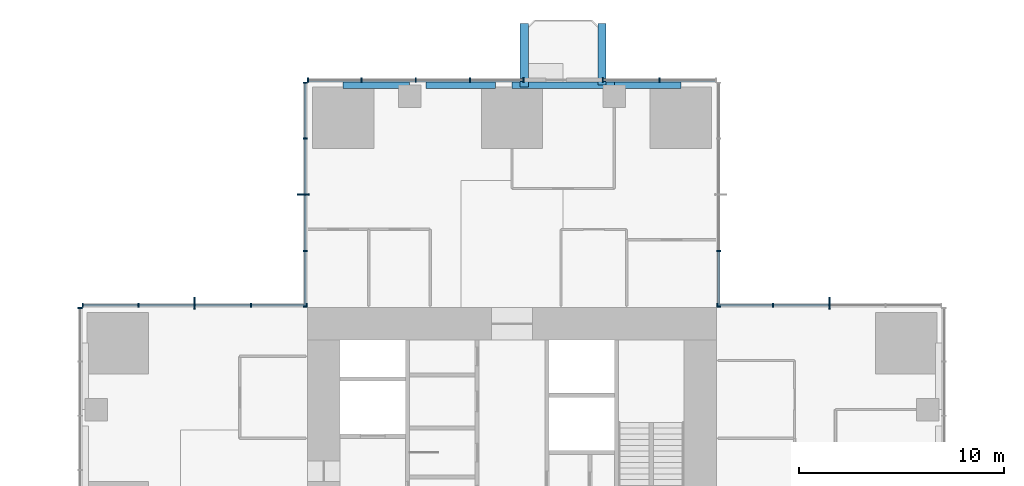
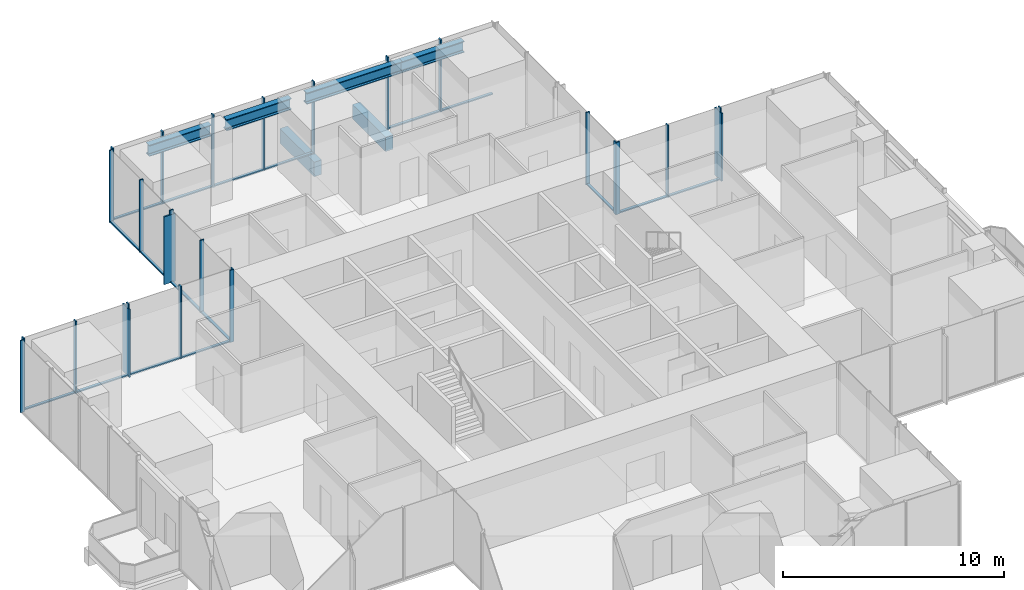
# One storey, part 5 of 13: 43 members, 6 beams, 7 elements without a shape of their own.
"""IFC4 building model written with IfcOpenShell, lengths in metres."""

from ifc_helpers import new_model, si_unit, direction, frame, origin, origin_2d, place, context, subcontext, project, spatial, rectangle, i_section, extrude, material, material_profile, profile_set, type_object, element, aggregate, save


model = new_model("IFC4")

# Units and contexts
model_context = context("Model", 3, precision=1e-05, world=origin(), true_north=direction((0.0, 1.0)))
body_context = subcontext(model_context, "Body", "Model", "MODEL_VIEW")
ifc_project = project(units=[si_unit("LENGTHUNIT", "METRE"), si_unit("AREAUNIT", "SQUARE_METRE"), si_unit("VOLUMEUNIT", "CUBIC_METRE"), si_unit("PLANEANGLEUNIT", "RADIAN"), si_unit("MASSUNIT", "GRAM", prefix="KILO")], contexts=[model_context])

# Site, building, storey
site_placement = place(None, origin())
site = spatial("IfcSite", under=ifc_project, at=site_placement, CompositionType="ELEMENT")
building_placement = place(site_placement, origin())
building = spatial("IfcBuilding", under=site, at=building_placement, Name="Svetlomir Tower", CompositionType="ELEMENT")
storey_placement = place(building_placement, frame((0.0, 0.0, 152.5)))
storey = spatial("IfcBuildingStorey", under=building, at=storey_placement, Name="L36", CompositionType="ELEMENT", Elevation=152.5)

# Beams
ifc_material_1 = material(Name="Concrete C60/75", Category="concrete")
ifc_material_profile_1 = material_profile(ifc_material_1, rectangle(XDim=0.39990234375, YDim=0.800048828125, at=origin_2d()), Name="RC 400x800")
ifc_profile_set_1 = profile_set([ifc_material_profile_1], Name="Concrete C60/75")
beam_type_1 = type_object("IfcBeamType", Name="BALCONY RIB RC 400x800", PredefinedType="BEAM", material=ifc_profile_set_1)
beam_1_placement = place(storey_placement, frame((21.60009765625, 41.75, -0.64990234375), z_axis=(0.0, 1.0, 0.0), x_axis=(-1.0, 0.0, 0.0)))
element("IfcBeam", 1, at=beam_1_placement, inside=storey, type_object=beam_type_1, Name="Balcony rib N 1 L36", PredefinedType="BEAM", context=body_context, shape_type="SweptSolid", body=[
    extrude(rectangle(XDim=0.39990234375, YDim=0.800048828125, at=origin_2d()), origin(), (0.0, 0.0, 1.0), 3.10009765625),
])
beam_2_placement = place(storey_placement, frame((25.39990234375, 41.85009765625, -0.64990234375), z_axis=(0.0, 1.0, 0.0), x_axis=(-1.0, 0.0, 0.0)))
element("IfcBeam", 2, at=beam_2_placement, inside=storey, type_object=beam_type_1, Name="Balcony rib N 2 L36", PredefinedType="BEAM", context=body_context, shape_type="SweptSolid", body=[
    extrude(rectangle(XDim=0.39990234375, YDim=0.800048828125, at=origin_2d()), origin(), (0.0, 0.0, 1.0), 3.0),
])

# Curtain wall, member
ifc_material_2 = material(Name="Bronze anodised aluminium curtain wall", Category="aluminium")
curtain_wall_type = type_object("IfcCurtainWallType", Name="CURTAIN WALL CW1 TOWER OFFICE", PredefinedType="NOTDEFINED", material=ifc_material_2)
curtain_wall_1_placement = place(storey_placement, origin())
curtain_wall_1 = element("IfcCurtainWall", 3, at=curtain_wall_1_placement, inside=storey, type_object=curtain_wall_type, Name="Curtain wall CW1 L36", PredefinedType="NOTDEFINED")
ifc_material_3 = material(Name="Bronze anodised aluminium", Category="aluminium")
ifc_material_profile_2 = material_profile(ifc_material_3, rectangle(XDim=0.080078125, YDim=0.60009765625, at=origin_2d()), Name="FIN 80x600")
ifc_profile_set_2 = profile_set([ifc_material_profile_2], Name="Bronze anodised aluminium 6063-T6")
member_type_1 = type_object("IfcMemberType", Name="BRONZE FIN 80x600", PredefinedType="USERDEFINED", material=ifc_profile_set_2)
member_1_placement = place(storey_placement, frame((36.5, 31.199951171875, 0.0), z_axis=(0.0, 0.0, 1.0), x_axis=(1.0, 0.0, 0.0)))
member_1 = element("IfcMember", 4, at=member_1_placement, type_object=member_type_1, Name="Bronze fin L36", ObjectType="FIN", PredefinedType="USERDEFINED", context=body_context, shape_type="SweptSolid", body=[
    extrude(rectangle(XDim=0.080078125, YDim=0.60009765625, at=origin_2d()), origin(), (0.0, 0.0, 1.0), 3.75),
])

curtain_wall_2_placement = place(storey_placement, origin())
curtain_wall_2 = element("IfcCurtainWall", 5, at=curtain_wall_2_placement, inside=storey, type_object=curtain_wall_type, Name="Curtain wall CW1 L36", PredefinedType="NOTDEFINED")
member_2_placement = place(storey_placement, frame((10.800048828125, 36.5, 0.0), z_axis=(0.0, 0.0, 1.0), x_axis=(0.0, 1.0, 0.0)))
member_2 = element("IfcMember", 6, at=member_2_placement, type_object=member_type_1, Name="Bronze fin L36", ObjectType="FIN", PredefinedType="USERDEFINED", context=body_context, shape_type="SweptSolid", body=[
    extrude(rectangle(XDim=0.080078125, YDim=0.60009765625, at=origin_2d()), origin(), (0.0, 0.0, 1.0), 3.75),
])

curtain_wall_3_placement = place(storey_placement, origin())
curtain_wall_3 = element("IfcCurtainWall", 7, at=curtain_wall_3_placement, inside=storey, type_object=curtain_wall_type, Name="Curtain wall CW1 L36", PredefinedType="NOTDEFINED")
member_3_placement = place(storey_placement, frame((5.5, 31.199951171875, 0.0), z_axis=(0.0, 0.0, 1.0), x_axis=(1.0, 0.0, 0.0)))
member_3 = element("IfcMember", 8, at=member_3_placement, type_object=member_type_1, Name="Bronze fin L36", ObjectType="FIN", PredefinedType="USERDEFINED", context=body_context, shape_type="SweptSolid", body=[
    extrude(rectangle(XDim=0.080078125, YDim=0.60009765625, at=origin_2d()), origin(), (0.0, 0.0, 1.0), 3.75),
])

# Member
ifc_material_4 = material(Name="Bronze anodised aluminium", Category="aluminium")
ifc_material_profile_3 = material_profile(ifc_material_4, rectangle(XDim=0.06494140625, YDim=0.199951171875, at=origin_2d()), Name="AL 65x200")
ifc_profile_set_3 = profile_set([ifc_material_profile_3], Name="Bronze anodised aluminium 6063-T6")
member_type_2 = type_object("IfcMemberType", Name="CW1 MULLION 65x200", PredefinedType="MULLION", material=ifc_profile_set_3)
member_4_placement = place(storey_placement, frame((36.5, 31.10009765625, 0.0), z_axis=(0.0, 0.0, 1.0), x_axis=(-1.0, 0.0, 0.0)))
member_4 = element("IfcMember", 9, at=member_4_placement, type_object=member_type_2, Name="CW1 mullion 3", PredefinedType="MULLION", context=body_context, shape_type="SweptSolid", body=[
    extrude(rectangle(XDim=0.06494140625, YDim=0.199951171875, at=origin_2d()), origin(), (0.0, 0.0, 1.0), 4.0),
])

member_5_placement = place(storey_placement, frame((33.75, 31.10009765625, 0.0), z_axis=(0.0, 0.0, 1.0), x_axis=(-1.0, 0.0, 0.0)))
member_5 = element("IfcMember", 10, at=member_5_placement, type_object=member_type_2, Name="CW1 mullion 4", PredefinedType="MULLION", context=body_context, shape_type="SweptSolid", body=[
    extrude(rectangle(XDim=0.06494140625, YDim=0.199951171875, at=origin_2d()), origin(), (0.0, 0.0, 1.0), 4.0),
])

member_6_placement = place(storey_placement, frame((31.032470703125, 31.10009765625, 0.0), z_axis=(0.0, 0.0, 1.0), x_axis=(-1.0, 0.0, 0.0)))
member_6 = element("IfcMember", 11, at=member_6_placement, type_object=member_type_2, Name="CW1 mullion 5", PredefinedType="MULLION", context=body_context, shape_type="SweptSolid", body=[
    extrude(rectangle(XDim=0.06494140625, YDim=0.199951171875, at=origin_2d()), origin(), (0.0, 0.0, 1.0), 4.0),
])

# Curtain wall, members
curtain_wall_4_placement = place(storey_placement, origin())
curtain_wall_4 = element("IfcCurtainWall", 12, at=curtain_wall_4_placement, inside=storey, type_object=curtain_wall_type, Name="Curtain wall CW1 L36", PredefinedType="NOTDEFINED")
member_7_placement = place(storey_placement, frame((31.10009765625, 31.032470703125, 0.0), z_axis=(0.0, 0.0, 1.0), x_axis=(0.0, 1.0, 0.0)))
member_7 = element("IfcMember", 13, at=member_7_placement, type_object=member_type_2, Name="CW1 mullion 1", PredefinedType="MULLION", context=body_context, shape_type="SweptSolid", body=[
    extrude(rectangle(XDim=0.06494140625, YDim=0.199951171875, at=origin_2d()), origin(), (0.0, 0.0, 1.0), 4.0),
])
member_8_placement = place(storey_placement, frame((31.10009765625, 33.75, 0.0), z_axis=(0.0, 0.0, 1.0), x_axis=(0.0, 1.0, 0.0)))
member_8 = element("IfcMember", 14, at=member_8_placement, type_object=member_type_2, Name="CW1 mullion 2", PredefinedType="MULLION", context=body_context, shape_type="SweptSolid", body=[
    extrude(rectangle(XDim=0.06494140625, YDim=0.199951171875, at=origin_2d()), origin(), (0.0, 0.0, 1.0), 4.0),
])

curtain_wall_5_placement = place(storey_placement, origin())
curtain_wall_5 = element("IfcCurtainWall", 15, at=curtain_wall_5_placement, inside=storey, type_object=curtain_wall_type, Name="Curtain wall CW1 L36", PredefinedType="NOTDEFINED")
member_9_placement = place(storey_placement, frame((28.199951171875, 42.10009765625, 0.0), z_axis=(0.0, 0.0, 1.0), x_axis=(-1.0, 0.0, 0.0)))
member_9 = element("IfcMember", 16, at=member_9_placement, type_object=member_type_2, Name="CW1 mullion 2", PredefinedType="MULLION", context=body_context, shape_type="SweptSolid", body=[
    extrude(rectangle(XDim=0.06494140625, YDim=0.199951171875, at=origin_2d()), origin(), (0.0, 0.0, 1.0), 4.0),
])
member_10_placement = place(storey_placement, frame((25.4326171875, 42.10009765625, 0.0), z_axis=(0.0, 0.0, 1.0), x_axis=(-1.0, 0.0, 0.0)))
member_10 = element("IfcMember", 17, at=member_10_placement, type_object=member_type_2, Name="CW1 mullion 3", PredefinedType="MULLION", context=body_context, shape_type="SweptSolid", body=[
    extrude(rectangle(XDim=0.06494140625, YDim=0.199951171875, at=origin_2d()), origin(), (0.0, 0.0, 1.0), 4.0),
])

curtain_wall_6_placement = place(storey_placement, origin())
curtain_wall_6 = element("IfcCurtainWall", 18, at=curtain_wall_6_placement, inside=storey, type_object=curtain_wall_type, Name="Curtain wall CW1 L36", PredefinedType="NOTDEFINED")
member_11_placement = place(storey_placement, frame((21.5673828125, 42.10009765625, 0.0), z_axis=(0.0, 0.0, 1.0), x_axis=(-1.0, 0.0, 0.0)))
member_11 = element("IfcMember", 19, at=member_11_placement, type_object=member_type_2, Name="CW1 mullion 1", PredefinedType="MULLION", context=body_context, shape_type="SweptSolid", body=[
    extrude(rectangle(XDim=0.06494140625, YDim=0.199951171875, at=origin_2d()), origin(), (0.0, 0.0, 1.0), 4.0),
])
member_12_placement = place(storey_placement, frame((18.949951171875, 42.10009765625, 0.0), z_axis=(0.0, 0.0, 1.0), x_axis=(-1.0, 0.0, 0.0)))
member_12 = element("IfcMember", 20, at=member_12_placement, type_object=member_type_2, Name="CW1 mullion 2", PredefinedType="MULLION", context=body_context, shape_type="SweptSolid", body=[
    extrude(rectangle(XDim=0.06494140625, YDim=0.199951171875, at=origin_2d()), origin(), (0.0, 0.0, 1.0), 4.0),
])
member_13_placement = place(storey_placement, frame((16.300048828125, 42.10009765625, 0.0), z_axis=(0.0, 0.0, 1.0), x_axis=(-1.0, 0.0, 0.0)))
member_13 = element("IfcMember", 21, at=member_13_placement, type_object=member_type_2, Name="CW1 mullion 3", PredefinedType="MULLION", context=body_context, shape_type="SweptSolid", body=[
    extrude(rectangle(XDim=0.06494140625, YDim=0.199951171875, at=origin_2d()), origin(), (0.0, 0.0, 1.0), 4.0),
])
member_14_placement = place(storey_placement, frame((13.64990234375, 42.10009765625, 0.0), z_axis=(0.0, 0.0, 1.0), x_axis=(-1.0, 0.0, 0.0)))
member_14 = element("IfcMember", 22, at=member_14_placement, type_object=member_type_2, Name="CW1 mullion 4", PredefinedType="MULLION", context=body_context, shape_type="SweptSolid", body=[
    extrude(rectangle(XDim=0.06494140625, YDim=0.199951171875, at=origin_2d()), origin(), (0.0, 0.0, 1.0), 4.0),
])
member_15_placement = place(storey_placement, frame((11.032470703125, 42.10009765625, 0.0), z_axis=(0.0, 0.0, 1.0), x_axis=(-1.0, 0.0, 0.0)))
member_15 = element("IfcMember", 23, at=member_15_placement, type_object=member_type_2, Name="CW1 mullion 5", PredefinedType="MULLION", context=body_context, shape_type="SweptSolid", body=[
    extrude(rectangle(XDim=0.06494140625, YDim=0.199951171875, at=origin_2d()), origin(), (0.0, 0.0, 1.0), 4.0),
])

# Member
member_16_placement = place(storey_placement, frame((10.89990234375, 41.967529296875, 0.0), z_axis=(0.0, 0.0, 1.0), x_axis=(0.0, -1.0, 0.0)))
member_16 = element("IfcMember", 24, at=member_16_placement, type_object=member_type_2, Name="CW1 mullion 1", PredefinedType="MULLION", context=body_context, shape_type="SweptSolid", body=[
    extrude(rectangle(XDim=0.06494140625, YDim=0.199951171875, at=origin_2d()), origin(), (0.0, 0.0, 1.0), 4.0),
])

member_17_placement = place(storey_placement, frame((10.89990234375, 39.25, 0.0), z_axis=(0.0, 0.0, 1.0), x_axis=(0.0, -1.0, 0.0)))
member_17 = element("IfcMember", 25, at=member_17_placement, type_object=member_type_2, Name="CW1 mullion 2", PredefinedType="MULLION", context=body_context, shape_type="SweptSolid", body=[
    extrude(rectangle(XDim=0.06494140625, YDim=0.199951171875, at=origin_2d()), origin(), (0.0, 0.0, 1.0), 4.0),
])

member_18_placement = place(storey_placement, frame((10.89990234375, 36.5, 0.0), z_axis=(0.0, 0.0, 1.0), x_axis=(0.0, -1.0, 0.0)))
member_18 = element("IfcMember", 26, at=member_18_placement, type_object=member_type_2, Name="CW1 mullion 3", PredefinedType="MULLION", context=body_context, shape_type="SweptSolid", body=[
    extrude(rectangle(XDim=0.06494140625, YDim=0.199951171875, at=origin_2d()), origin(), (0.0, 0.0, 1.0), 4.0),
])

member_19_placement = place(storey_placement, frame((10.89990234375, 33.75, 0.0), z_axis=(0.0, 0.0, 1.0), x_axis=(0.0, -1.0, 0.0)))
member_19 = element("IfcMember", 27, at=member_19_placement, type_object=member_type_2, Name="CW1 mullion 4", PredefinedType="MULLION", context=body_context, shape_type="SweptSolid", body=[
    extrude(rectangle(XDim=0.06494140625, YDim=0.199951171875, at=origin_2d()), origin(), (0.0, 0.0, 1.0), 4.0),
])

member_20_placement = place(storey_placement, frame((10.89990234375, 31.032470703125, 0.0), z_axis=(0.0, 0.0, 1.0), x_axis=(0.0, -1.0, 0.0)))
member_20 = element("IfcMember", 28, at=member_20_placement, type_object=member_type_2, Name="CW1 mullion 5", PredefinedType="MULLION", context=body_context, shape_type="SweptSolid", body=[
    extrude(rectangle(XDim=0.06494140625, YDim=0.199951171875, at=origin_2d()), origin(), (0.0, 0.0, 1.0), 4.0),
])

member_21_placement = place(storey_placement, frame((10.967529296875, 31.10009765625, 0.0), z_axis=(0.0, 0.0, 1.0), x_axis=(-1.0, 0.0, 0.0)))
member_21 = element("IfcMember", 29, at=member_21_placement, type_object=member_type_2, Name="CW1 mullion 1", PredefinedType="MULLION", context=body_context, shape_type="SweptSolid", body=[
    extrude(rectangle(XDim=0.06494140625, YDim=0.199951171875, at=origin_2d()), origin(), (0.0, 0.0, 1.0), 4.0),
])

member_22_placement = place(storey_placement, frame((8.25, 31.10009765625, 0.0), z_axis=(0.0, 0.0, 1.0), x_axis=(-1.0, 0.0, 0.0)))
member_22 = element("IfcMember", 30, at=member_22_placement, type_object=member_type_2, Name="CW1 mullion 2", PredefinedType="MULLION", context=body_context, shape_type="SweptSolid", body=[
    extrude(rectangle(XDim=0.06494140625, YDim=0.199951171875, at=origin_2d()), origin(), (0.0, 0.0, 1.0), 4.0),
])

member_23_placement = place(storey_placement, frame((5.5, 31.10009765625, 0.0), z_axis=(0.0, 0.0, 1.0), x_axis=(-1.0, 0.0, 0.0)))
member_23 = element("IfcMember", 31, at=member_23_placement, type_object=member_type_2, Name="CW1 mullion 3", PredefinedType="MULLION", context=body_context, shape_type="SweptSolid", body=[
    extrude(rectangle(XDim=0.06494140625, YDim=0.199951171875, at=origin_2d()), origin(), (0.0, 0.0, 1.0), 4.0),
])

member_24_placement = place(storey_placement, frame((2.75, 31.10009765625, 0.0), z_axis=(0.0, 0.0, 1.0), x_axis=(-1.0, 0.0, 0.0)))
member_24 = element("IfcMember", 32, at=member_24_placement, type_object=member_type_2, Name="CW1 mullion 4", PredefinedType="MULLION", context=body_context, shape_type="SweptSolid", body=[
    extrude(rectangle(XDim=0.06494140625, YDim=0.199951171875, at=origin_2d()), origin(), (0.0, 0.0, 1.0), 4.0),
])

member_25_placement = place(storey_placement, frame((0.032470703125, 31.10009765625, 0.0), z_axis=(0.0, 0.0, 1.0), x_axis=(-1.0, 0.0, 0.0)))
member_25 = element("IfcMember", 33, at=member_25_placement, type_object=member_type_2, Name="CW1 mullion 5", PredefinedType="MULLION", context=body_context, shape_type="SweptSolid", body=[
    extrude(rectangle(XDim=0.06494140625, YDim=0.199951171875, at=origin_2d()), origin(), (0.0, 0.0, 1.0), 4.0),
])

# Curtain wall, member
curtain_wall_7_placement = place(storey_placement, origin())
curtain_wall_7 = element("IfcCurtainWall", 34, at=curtain_wall_7_placement, inside=storey, type_object=curtain_wall_type, Name="Curtain wall CW1 L36", PredefinedType="NOTDEFINED")
member_26_placement = place(storey_placement, frame((-0.10009765625, 30.967529296875, 0.0), z_axis=(0.0, 0.0, 1.0), x_axis=(0.0, -1.0, 0.0)))
member_26 = element("IfcMember", 35, at=member_26_placement, type_object=member_type_2, Name="CW1 mullion 1", PredefinedType="MULLION", context=body_context, shape_type="SweptSolid", body=[
    extrude(rectangle(XDim=0.06494140625, YDim=0.199951171875, at=origin_2d()), origin(), (0.0, 0.0, 1.0), 4.0),
])
aggregate(curtain_wall_7, [member_26])

# Member
ifc_material_5 = material(Name="Bronze anodised aluminium", Category="aluminium")
ifc_material_profile_4 = material_profile(ifc_material_5, rectangle(XDim=0.139892578125, YDim=0.06494140625, at=origin_2d()), Name="AL 140x65")
ifc_profile_set_4 = profile_set([ifc_material_profile_4], Name="Bronze anodised aluminium 6063-T6")
member_type_3 = type_object("IfcMemberType", Name="CW1 TRANSOM 65x140", PredefinedType="USERDEFINED", material=ifc_profile_set_4)
member_27_placement = place(storey_placement, frame((36.467529296875, 31.10009765625, 0.032470703125), z_axis=(-1.0, 0.0, 0.0), x_axis=(0.0, -1.0, 0.0)))
member_27 = element("IfcMember", 36, at=member_27_placement, type_object=member_type_3, Name="CW1 transom 3.1", ObjectType="TRANSOM", PredefinedType="USERDEFINED", context=body_context, shape_type="SweptSolid", body=[
    extrude(rectangle(XDim=0.139892578125, YDim=0.06494140625, at=origin_2d()), origin(), (0.0, 0.0, 1.0), 2.68505859375),
])

member_28_placement = place(storey_placement, frame((33.717529296875, 31.10009765625, 0.032470703125), z_axis=(-1.0, 0.0, 0.0), x_axis=(0.0, -1.0, 0.0)))
member_28 = element("IfcMember", 37, at=member_28_placement, type_object=member_type_3, Name="CW1 transom 4.1", ObjectType="TRANSOM", PredefinedType="USERDEFINED", context=body_context, shape_type="SweptSolid", body=[
    extrude(rectangle(XDim=0.139892578125, YDim=0.06494140625, at=origin_2d()), origin(), (0.0, 0.0, 1.0), 2.652587890625),
])

aggregate(curtain_wall_1, [member_4, member_5, member_6, member_27, member_28, member_1])

member_29_placement = place(storey_placement, frame((31.10009765625, 31.06494140625, 0.032470703125), z_axis=(0.0, 1.0, 0.0), x_axis=(-1.0, 0.0, 0.0)))
member_29 = element("IfcMember", 38, at=member_29_placement, type_object=member_type_3, Name="CW1 transom 1.1", ObjectType="TRANSOM", PredefinedType="USERDEFINED", context=body_context, shape_type="SweptSolid", body=[
    extrude(rectangle(XDim=0.139892578125, YDim=0.06494140625, at=origin_2d()), origin(), (0.0, 0.0, 1.0), 2.652587890625),
])

aggregate(curtain_wall_4, [member_7, member_8, member_29])

member_30_placement = place(storey_placement, frame((30.93505859375, 42.10009765625, 0.032470703125), z_axis=(-1.0, 0.0, 0.0), x_axis=(0.0, -1.0, 0.0)))
member_30 = element("IfcMember", 39, at=member_30_placement, type_object=member_type_3, Name="CW1 transom 1.1", ObjectType="TRANSOM", PredefinedType="USERDEFINED", context=body_context, shape_type="SweptSolid", body=[
    extrude(rectangle(XDim=0.139892578125, YDim=0.06494140625, at=origin_2d()), origin(), (0.0, 0.0, 1.0), 2.70263671875),
])

member_31_placement = place(storey_placement, frame((28.16748046875, 42.10009765625, 0.032470703125), z_axis=(-1.0, 0.0, 0.0), x_axis=(0.0, -1.0, 0.0)))
member_31 = element("IfcMember", 40, at=member_31_placement, type_object=member_type_3, Name="CW1 transom 2.1", ObjectType="TRANSOM", PredefinedType="USERDEFINED", context=body_context, shape_type="SweptSolid", body=[
    extrude(rectangle(XDim=0.139892578125, YDim=0.06494140625, at=origin_2d()), origin(), (0.0, 0.0, 1.0), 2.702392578125),
])

aggregate(curtain_wall_5, [member_9, member_10, member_30, member_31])

member_32_placement = place(storey_placement, frame((21.534912109375, 42.10009765625, 0.032470703125), z_axis=(-1.0, 0.0, 0.0), x_axis=(0.0, -1.0, 0.0)))
member_32 = element("IfcMember", 41, at=member_32_placement, type_object=member_type_3, Name="CW1 transom 1.1", ObjectType="TRANSOM", PredefinedType="USERDEFINED", context=body_context, shape_type="SweptSolid", body=[
    extrude(rectangle(XDim=0.139892578125, YDim=0.06494140625, at=origin_2d()), origin(), (0.0, 0.0, 1.0), 2.552490234375),
])

member_33_placement = place(storey_placement, frame((18.91748046875, 42.10009765625, 0.032470703125), z_axis=(-1.0, 0.0, 0.0), x_axis=(0.0, -1.0, 0.0)))
member_33 = element("IfcMember", 42, at=member_33_placement, type_object=member_type_3, Name="CW1 transom 2.1", ObjectType="TRANSOM", PredefinedType="USERDEFINED", context=body_context, shape_type="SweptSolid", body=[
    extrude(rectangle(XDim=0.139892578125, YDim=0.06494140625, at=origin_2d()), origin(), (0.0, 0.0, 1.0), 2.5849609375),
])

member_34_placement = place(storey_placement, frame((16.267578125, 42.10009765625, 0.032470703125), z_axis=(-1.0, 0.0, 0.0), x_axis=(0.0, -1.0, 0.0)))
member_34 = element("IfcMember", 43, at=member_34_placement, type_object=member_type_3, Name="CW1 transom 3.1", ObjectType="TRANSOM", PredefinedType="USERDEFINED", context=body_context, shape_type="SweptSolid", body=[
    extrude(rectangle(XDim=0.139892578125, YDim=0.06494140625, at=origin_2d()), origin(), (0.0, 0.0, 1.0), 2.5849609375),
])

member_35_placement = place(storey_placement, frame((13.617431640625, 42.10009765625, 0.032470703125), z_axis=(-1.0, 0.0, 0.0), x_axis=(0.0, -1.0, 0.0)))
member_35 = element("IfcMember", 44, at=member_35_placement, type_object=member_type_3, Name="CW1 transom 4.1", ObjectType="TRANSOM", PredefinedType="USERDEFINED", context=body_context, shape_type="SweptSolid", body=[
    extrude(rectangle(XDim=0.139892578125, YDim=0.06494140625, at=origin_2d()), origin(), (0.0, 0.0, 1.0), 2.552490234375),
])

aggregate(curtain_wall_6, [member_11, member_12, member_13, member_14, member_15, member_32, member_33, member_34, member_35])

member_36_placement = place(storey_placement, frame((10.89990234375, 41.93505859375, 0.032470703125), z_axis=(0.0, -1.0, 0.0), x_axis=(1.0, 0.0, 0.0)))
member_36 = element("IfcMember", 45, at=member_36_placement, type_object=member_type_3, Name="CW1 transom 1.1", ObjectType="TRANSOM", PredefinedType="USERDEFINED", context=body_context, shape_type="SweptSolid", body=[
    extrude(rectangle(XDim=0.139892578125, YDim=0.06494140625, at=origin_2d()), origin(), (0.0, 0.0, 1.0), 2.652587890625),
])

member_37_placement = place(storey_placement, frame((10.89990234375, 39.217529296875, 0.032470703125), z_axis=(0.0, -1.0, 0.0), x_axis=(1.0, 0.0, 0.0)))
member_37 = element("IfcMember", 46, at=member_37_placement, type_object=member_type_3, Name="CW1 transom 2.1", ObjectType="TRANSOM", PredefinedType="USERDEFINED", context=body_context, shape_type="SweptSolid", body=[
    extrude(rectangle(XDim=0.139892578125, YDim=0.06494140625, at=origin_2d()), origin(), (0.0, 0.0, 1.0), 2.68505859375),
])

member_38_placement = place(storey_placement, frame((10.89990234375, 36.467529296875, 0.032470703125), z_axis=(0.0, -1.0, 0.0), x_axis=(1.0, 0.0, 0.0)))
member_38 = element("IfcMember", 47, at=member_38_placement, type_object=member_type_3, Name="CW1 transom 3.1", ObjectType="TRANSOM", PredefinedType="USERDEFINED", context=body_context, shape_type="SweptSolid", body=[
    extrude(rectangle(XDim=0.139892578125, YDim=0.06494140625, at=origin_2d()), origin(), (0.0, 0.0, 1.0), 2.68505859375),
])

member_39_placement = place(storey_placement, frame((10.89990234375, 33.717529296875, 0.032470703125), z_axis=(0.0, -1.0, 0.0), x_axis=(1.0, 0.0, 0.0)))
member_39 = element("IfcMember", 48, at=member_39_placement, type_object=member_type_3, Name="CW1 transom 4.1", ObjectType="TRANSOM", PredefinedType="USERDEFINED", context=body_context, shape_type="SweptSolid", body=[
    extrude(rectangle(XDim=0.139892578125, YDim=0.06494140625, at=origin_2d()), origin(), (0.0, 0.0, 1.0), 2.652587890625),
])

aggregate(curtain_wall_2, [member_16, member_17, member_18, member_19, member_20, member_36, member_37, member_38, member_39, member_2])

member_40_placement = place(storey_placement, frame((10.93505859375, 31.10009765625, 0.032470703125), z_axis=(-1.0, 0.0, 0.0), x_axis=(0.0, -1.0, 0.0)))
member_40 = element("IfcMember", 49, at=member_40_placement, type_object=member_type_3, Name="CW1 transom 1.1", ObjectType="TRANSOM", PredefinedType="USERDEFINED", context=body_context, shape_type="SweptSolid", body=[
    extrude(rectangle(XDim=0.139892578125, YDim=0.06494140625, at=origin_2d()), origin(), (0.0, 0.0, 1.0), 2.652587890625),
])

member_41_placement = place(storey_placement, frame((8.217529296875, 31.10009765625, 0.032470703125), z_axis=(-1.0, 0.0, 0.0), x_axis=(0.0, -1.0, 0.0)))
member_41 = element("IfcMember", 50, at=member_41_placement, type_object=member_type_3, Name="CW1 transom 2.1", ObjectType="TRANSOM", PredefinedType="USERDEFINED", context=body_context, shape_type="SweptSolid", body=[
    extrude(rectangle(XDim=0.139892578125, YDim=0.06494140625, at=origin_2d()), origin(), (0.0, 0.0, 1.0), 2.68505859375),
])

member_42_placement = place(storey_placement, frame((5.467529296875, 31.10009765625, 0.032470703125), z_axis=(-1.0, 0.0, 0.0), x_axis=(0.0, -1.0, 0.0)))
member_42 = element("IfcMember", 51, at=member_42_placement, type_object=member_type_3, Name="CW1 transom 3.1", ObjectType="TRANSOM", PredefinedType="USERDEFINED", context=body_context, shape_type="SweptSolid", body=[
    extrude(rectangle(XDim=0.139892578125, YDim=0.06494140625, at=origin_2d()), origin(), (0.0, 0.0, 1.0), 2.68505859375),
])

member_43_placement = place(storey_placement, frame((2.717529296875, 31.10009765625, 0.032470703125), z_axis=(-1.0, 0.0, 0.0), x_axis=(0.0, -1.0, 0.0)))
member_43 = element("IfcMember", 52, at=member_43_placement, type_object=member_type_3, Name="CW1 transom 4.1", ObjectType="TRANSOM", PredefinedType="USERDEFINED", context=body_context, shape_type="SweptSolid", body=[
    extrude(rectangle(XDim=0.139892578125, YDim=0.06494140625, at=origin_2d()), origin(), (0.0, 0.0, 1.0), 2.652587890625),
])

aggregate(curtain_wall_3, [member_21, member_22, member_23, member_24, member_25, member_40, member_41, member_42, member_43, member_3])

# Beams
ifc_material_6 = material(Name="Steel S355", Category="steel")
ifc_material_profile_5 = material_profile(ifc_material_6, i_section(OverallWidth=0.304931640625, OverallDepth=0.6201171875, WebThickness=0.02099609375, FlangeThickness=0.0400390625, FilletRadius=0.027099609375, at=origin_2d()), Name="HEM 600")
ifc_profile_set_5 = profile_set([ifc_material_profile_5], Name="Steel S355")
beam_type_2 = type_object("IfcBeamType", Name="EDGE BEAM HEM 600", PredefinedType="SPANDREL", material=ifc_profile_set_5)
beam_3_placement = place(storey_placement, frame((12.75, 41.847412109375, 3.43994140625), z_axis=(1.0, 0.0, 0.0), x_axis=(0.0, 1.0, 0.0)))
element("IfcBeam", 53, at=beam_3_placement, inside=storey, type_object=beam_type_2, Name="Edge beam 11/42 to 16/42 under L37", PredefinedType="SPANDREL", context=body_context, shape_type="SweptSolid", body=[
    extrude(i_section(OverallWidth=0.304931640625, OverallDepth=0.6201171875, WebThickness=0.02099609375, FlangeThickness=0.0400390625, FilletRadius=0.027099609375, at=origin_2d()), origin(), (0.0, 0.0, 1.0), 3.25),
])
beam_4_placement = place(storey_placement, frame((16.800048828125, 41.847412109375, 3.43994140625), z_axis=(1.0, 0.0, 0.0), x_axis=(0.0, 1.0, 0.0)))
element("IfcBeam", 54, at=beam_4_placement, inside=storey, type_object=beam_type_2, Name="Edge beam 16/42 to 21/42 under L37", PredefinedType="SPANDREL", context=body_context, shape_type="SweptSolid", body=[
    extrude(i_section(OverallWidth=0.304931640625, OverallDepth=0.6201171875, WebThickness=0.02099609375, FlangeThickness=0.0400390625, FilletRadius=0.027099609375, at=origin_2d()), origin(), (0.0, 0.0, 1.0), 3.39990234375),
])
beam_5_placement = place(storey_placement, frame((21.0, 41.847412109375, 3.43994140625), z_axis=(1.0, 0.0, 0.0), x_axis=(0.0, 1.0, 0.0)))
element("IfcBeam", 55, at=beam_5_placement, inside=storey, type_object=beam_type_2, Name="Edge beam 21/42 to 26/42 under L37", PredefinedType="SPANDREL", context=body_context, shape_type="SweptSolid", body=[
    extrude(i_section(OverallWidth=0.304931640625, OverallDepth=0.6201171875, WebThickness=0.02099609375, FlangeThickness=0.0400390625, FilletRadius=0.027099609375, at=origin_2d()), origin(), (0.0, 0.0, 1.0), 5.0),
])
beam_6_placement = place(storey_placement, frame((26.0, 41.847412109375, 3.43994140625), z_axis=(1.0, 0.0, 0.0), x_axis=(0.0, 1.0, 0.0)))
element("IfcBeam", 56, at=beam_6_placement, inside=storey, type_object=beam_type_2, Name="Edge beam 26/42 to 31/42 under L37", PredefinedType="SPANDREL", context=body_context, shape_type="SweptSolid", body=[
    extrude(i_section(OverallWidth=0.304931640625, OverallDepth=0.6201171875, WebThickness=0.02099609375, FlangeThickness=0.0400390625, FilletRadius=0.027099609375, at=origin_2d()), origin(), (0.0, 0.0, 1.0), 3.25),
])

save(model, "model.ifc")
